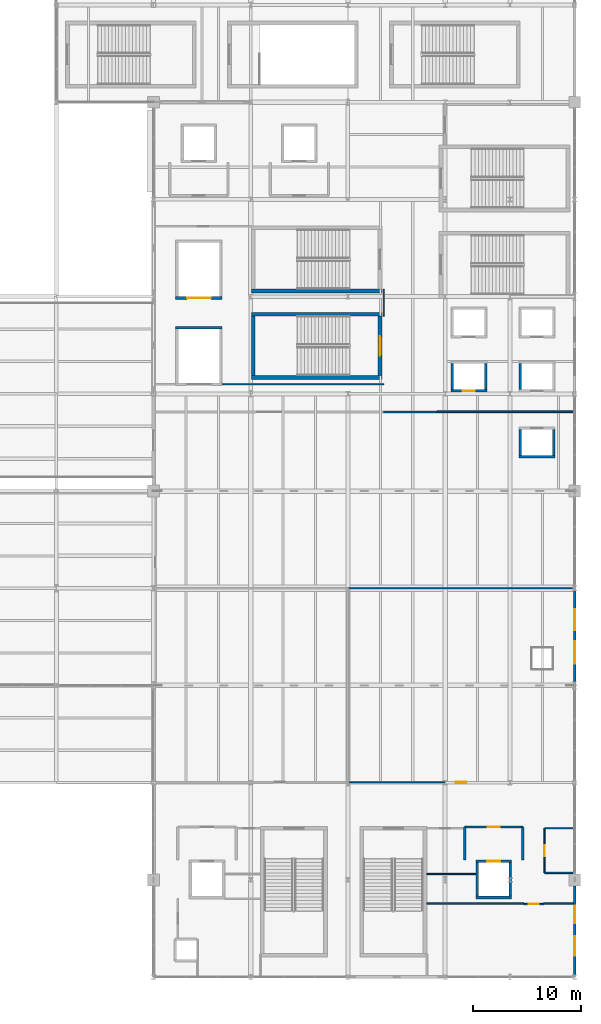
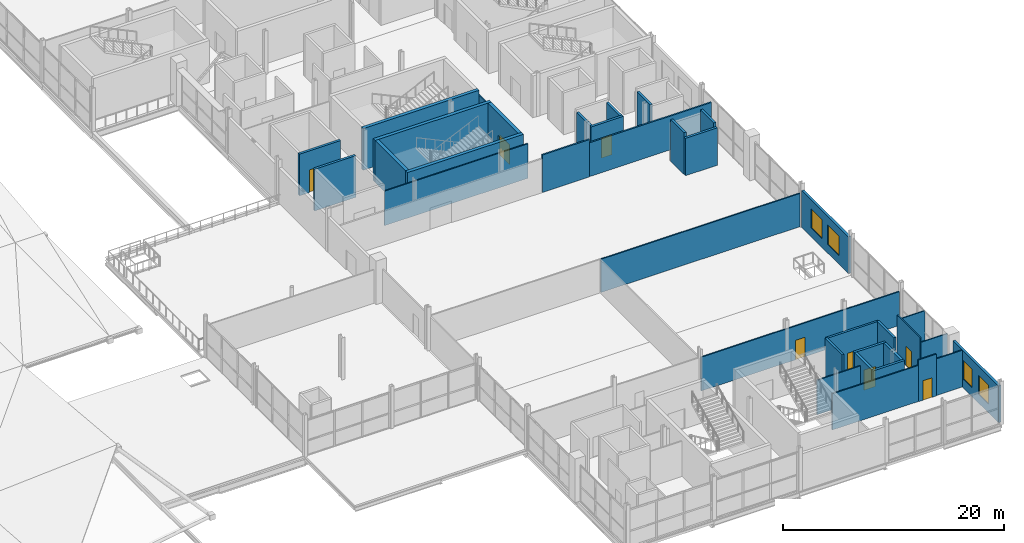
# One storey, part 51 of 69: 36 walls, 8 doors, 4 windows, 12 openings.
"""IFC4 building model written with IfcOpenShell, lengths in metres."""

from ifc_helpers import new_model, si_unit, direction, frame, frame_2d, origin, place, context, subcontext, project, spatial, rectangle, extrude, material, layer, layer_set, type_object, element, fill, save


model = new_model("IFC4")

# Units and contexts
model_context = context("Model", 3, precision=1e-05, world=origin(), true_north=direction((0.0, 1.0)))
body_context = subcontext(model_context, "Body", "Model", "MODEL_VIEW")
ifc_project = project(units=[si_unit("LENGTHUNIT", "METRE"), si_unit("AREAUNIT", "SQUARE_METRE"), si_unit("VOLUMEUNIT", "CUBIC_METRE"), si_unit("PLANEANGLEUNIT", "RADIAN"), si_unit("MASSUNIT", "GRAM", prefix="KILO")], contexts=[model_context])

# Site, building, storey
site_placement = place(None, origin())
site = spatial("IfcSite", under=ifc_project, at=site_placement, CompositionType="ELEMENT")
building_placement = place(site_placement, origin())
building = spatial("IfcBuilding", under=site, at=building_placement, Name="Qamarlyn Nura Convention Centre", CompositionType="ELEMENT")
storey_placement = place(building_placement, frame((0.0, 0.0, 15.60009765625)))
storey = spatial("IfcBuildingStorey", under=building, at=storey_placement, Name="L03", CompositionType="ELEMENT", Elevation=15.60009765625)

# Wall, opening, door
ifc_material_1 = material(Name="Fire-rated acoustic gypsum board and mineral wool EI 120")
ifc_layer_1 = layer(ifc_material_1, 0.219970703125, Name="WT-COMP-220")
ifc_layer_set_1 = layer_set([ifc_layer_1], Name="Fire-rated acoustic gypsum board and mineral wool EI 120")
wall_type_1 = type_object("IfcWallType", Name="WT-COMP-220", PredefinedType="SOLIDWALL", material=ifc_layer_set_1)
wall_1_placement = place(storey_placement, frame((181.800048828125, 13.89990234375, 0.0), z_axis=(0.0, 0.0, 1.0), x_axis=(1.0, 0.0, 0.0)))
wall_1 = element("IfcWall", 1, at=wall_1_placement, inside=storey, type_object=wall_type_1, Name="L03 firefighting lobby barrier wall FFL-02-OPP", PredefinedType="SOLIDWALL", context=body_context, shape_type="SweptSolid", body=[
    extrude(rectangle(XDim=5.39990234375, YDim=0.219970703125, at=frame_2d((2.699951171875, 0.0))), origin(), (0.0, 0.0, 1.0), 4.599853515625),
])
opening_1_placement = place(wall_1_placement, frame((2.139892578125, 0.0, 0.0)))
opening_1 = element("IfcOpeningElement", 2, at=opening_1_placement, cuts=wall_1, Name="Opening DF-114", PredefinedType="OPENING", context=body_context, shape_type="SweptSolid", body=[
    extrude(rectangle(XDim=1.1201171875, YDim=2.199951171875, at=frame_2d((0.56005859375, 1.10009765625))), frame((0.0, 0.1201171875, 0.0), z_axis=(0.0, -1.0, 0.0), x_axis=(1.0, 0.0, 0.0)), (0.0, 0.0, 1.0), 0.239990234375),
])
ifc_material_2 = material(Name="Galvanised fire-rated hollow steel door", Category="steel")
door_type_1 = type_object("IfcDoorType", Name="DR-FFL-1120", OperationType="NOTDEFINED", PredefinedType="DOOR", material=ifc_material_2)
door_1_placement = place(opening_1_placement, origin())
door_1 = element("IfcDoor", 3, at=door_1_placement, inside=storey, type_object=door_type_1, Name="L03 firefighting lobby door FFL-02 (DF-114)", OperationType="SINGLE_SWING_RIGHT", OverallHeight=2.199951171875, OverallWidth=1.1201171875, PredefinedType="DOOR", context=body_context, shape_type="SweptSolid", body=[
    extrude(rectangle(XDim=1.1201171875, YDim=2.199951171875, at=frame_2d((0.56005859375, 1.10009765625))), frame((0.0, 0.02490234375, 0.0), z_axis=(0.0, -1.0, 0.0), x_axis=(1.0, 0.0, 0.0)), (0.0, 0.0, 1.0), 0.050048828125),
])
fill(opening_1, door_1)

# Walls
for number, where, z_axis, x_axis, name in (
    (4, (181.800048828125, 10.85009765625, 0.0), (0.0, 0.0, 1.0), (0.0, 1.0, 0.0), "L03 firefighting lobby barrier wall FFL-02-W"),
    (5, (187.199951171875, 10.85009765625, 0.0), (0.0, 0.0, 1.0), (0.0, 1.0, 0.0), "L03 firefighting lobby barrier wall FFL-02-E"),
):
    element("IfcWall", number, at=place(storey_placement, frame(where, z_axis=z_axis, x_axis=x_axis)), inside=storey, type_object=wall_type_1, Name=name, PredefinedType="SOLIDWALL", context=body_context, shape_type="SweptSolid", body=[
        extrude(rectangle(XDim=3.0498046875, YDim=0.219970703125, at=frame_2d((1.52490234375, 0.0))), origin(), (0.0, 0.0, 1.0), 4.599853515625),
    ])
ifc_material_3 = material(Name="Concrete C50/60", Category="concrete")
ifc_layer_2 = layer(ifc_material_3, 0.35009765625, Name="WT-CORE-350")
ifc_layer_set_2 = layer_set([ifc_layer_2], Name="Concrete C50/60")
wall_type_2 = type_object("IfcWallType", Name="WT-CORE-350", PredefinedType="SHEAR", material=ifc_layer_set_2)
for number, where, z_axis, x_axis, name in (
    (6, (162.050048828125, 55.52490234375, 0.0), (0.0, 0.0, 1.0), (1.0, 0.0, 0.0), "L03 stair core shear wall ST-11-S"),
    (7, (174.14990234375, 61.375, 0.0), (0.0, 0.0, 1.0), (-1.0, 0.0, 0.0), "L03 stair core shear wall ST-11-N"),
):
    element("IfcWall", number, at=place(storey_placement, frame(where, z_axis=z_axis, x_axis=x_axis)), inside=storey, type_object=wall_type_2, Name=name, PredefinedType="SHEAR", context=body_context, shape_type="SweptSolid", body=[
        extrude(rectangle(XDim=12.099853515625, YDim=0.35009765625, at=frame_2d((6.0498046875, 0.0))), origin(), (0.0, 0.0, 1.0), 4.599853515625),
    ])
wall_2_placement = place(storey_placement, frame((162.22509765625, 61.199951171875, 0.0), z_axis=(0.0, 0.0, 1.0), x_axis=(0.0, -1.0, 0.0)))
element("IfcWall", 8, at=wall_2_placement, inside=storey, type_object=wall_type_2, Name="L03 stair core shear wall ST-11-W", PredefinedType="SHEAR", context=body_context, shape_type="SweptSolid", body=[
    extrude(rectangle(XDim=5.5, YDim=0.35009765625, at=frame_2d((2.75, 0.0))), origin(), (0.0, 0.0, 1.0), 4.599853515625),
])

# Wall, opening, door
wall_3_placement = place(storey_placement, frame((173.97509765625, 55.699951171875, 0.0), z_axis=(0.0, 0.0, 1.0), x_axis=(0.0, 1.0, 0.0)))
wall_3 = element("IfcWall", 9, at=wall_3_placement, inside=storey, type_object=wall_type_2, Name="L03 stair core shear wall ST-11-E", PredefinedType="SHEAR", context=body_context, shape_type="SweptSolid", body=[
    extrude(rectangle(XDim=5.5, YDim=0.35009765625, at=frame_2d((2.75, 0.0))), origin(), (0.0, 0.0, 1.0), 4.599853515625),
])
opening_2_placement = place(wall_3_placement, frame((1.85009765625, 0.0, 0.0)))
opening_2 = element("IfcOpeningElement", 10, at=opening_2_placement, cuts=wall_3, Name="Opening DS-047", PredefinedType="OPENING", context=body_context, shape_type="SweptSolid", body=[
    extrude(rectangle(XDim=1.800048828125, YDim=2.199951171875, at=frame_2d((0.89990234375, 1.10009765625))), frame((0.0, 0.18505859375, 0.0), z_axis=(0.0, -1.0, 0.0), x_axis=(1.0, 0.0, 0.0)), (0.0, 0.0, 1.0), 0.3701171875),
])
door_type_2 = type_object("IfcDoorType", Name="DR-STAIR-1800", OperationType="DOUBLE_DOOR_SINGLE_SWING", PredefinedType="DOOR", material=ifc_material_2)
door_2_placement = place(opening_2_placement, origin())
door_2 = element("IfcDoor", 11, at=door_2_placement, inside=storey, type_object=door_type_2, Name="L03 exit stair door ST-11 (DS-047)", OperationType="DOUBLE_DOOR_SINGLE_SWING", OverallHeight=2.199951171875, OverallWidth=1.800048828125, PredefinedType="DOOR", context=body_context, shape_type="SweptSolid", body=[
    extrude(rectangle(XDim=1.800048828125, YDim=2.199951171875, at=frame_2d((0.89990234375, 1.10009765625))), frame((0.0, 0.02490234375, 0.0), z_axis=(0.0, -1.0, 0.0), x_axis=(1.0, 0.0, 0.0)), (0.0, 0.0, 1.0), 0.050048828125),
])
fill(opening_2, door_2)

# Wall
wall_4_placement = place(storey_placement, frame((162.050048828125, 63.52490234375, 0.0), z_axis=(0.0, 0.0, 1.0), x_axis=(1.0, 0.0, 0.0)))
element("IfcWall", 12, at=wall_4_placement, inside=storey, type_object=wall_type_2, Name="L03 stair core shear wall ST-12-S", PredefinedType="SHEAR", context=body_context, shape_type="SweptSolid", body=[
    extrude(rectangle(XDim=12.099853515625, YDim=0.35009765625, at=frame_2d((6.0498046875, 0.0))), origin(), (0.0, 0.0, 1.0), 4.599853515625),
])

# Wall, openings, windows
ifc_material_4 = material(Name="Concrete C40/50", Category="concrete")
ifc_layer_3 = layer(ifc_material_4, 0.260009765625, Name="WT-EXT-260")
ifc_layer_set_3 = layer_set([ifc_layer_3], Name="Concrete C40/50")
wall_type_3 = type_object("IfcWallType", Name="WT-EXT-260", PredefinedType="SOLIDWALL", material=ifc_layer_set_3)
wall_5_placement = place(storey_placement, frame((192.0, 8.449951171875, 0.0), z_axis=(0.0, 0.0, 1.0), x_axis=(0.0, -1.0, 0.0)))
wall_5 = element("IfcWall", 13, at=wall_5_placement, inside=storey, type_object=wall_type_3, Name="L03 exterior facade wall WEXT-L03-1920-84-1920-2", PredefinedType="SOLIDWALL", context=body_context, shape_type="SweptSolid", body=[
    extrude(rectangle(XDim=8.237548828125, YDim=0.260009765625, at=frame_2d((4.11865234375, 0.0))), origin(), (0.0, 0.0, 1.0), 4.0458984375),
])
opening_3_placement = place(wall_5_placement, frame((1.83447265625, 0.0, 0.949951171875)))
opening_3 = element("IfcOpeningElement", 14, at=opening_3_placement, cuts=wall_5, Name="Opening WN14", PredefinedType="OPENING", context=body_context, shape_type="SweptSolid", body=[
    extrude(rectangle(XDim=1.64990234375, YDim=2.050048828125, at=frame_2d((0.824951171875, 1.02490234375))), frame((0.0, 0.14013671875, 0.0), z_axis=(0.0, -1.0, 0.0), x_axis=(1.0, 0.0, 0.0)), (0.0, 0.0, 1.0), 0.280029296875),
])
opening_4_placement = place(wall_5_placement, frame((4.677978515625, 0.0, 0.949951171875)))
opening_4 = element("IfcOpeningElement", 15, at=opening_4_placement, cuts=wall_5, Name="Opening WN15", PredefinedType="OPENING", context=body_context, shape_type="SweptSolid", body=[
    extrude(rectangle(XDim=1.800048828125, YDim=2.10009765625, at=frame_2d((0.89990234375, 1.050048828125))), frame((0.0, 0.14013671875, 0.0), z_axis=(0.0, -1.0, 0.0), x_axis=(1.0, 0.0, 0.0)), (0.0, 0.0, 1.0), 0.280029296875),
])
ifc_material_5 = material(Name="Double-silver low-E insulated glass", Category="glass")
window_type_1 = type_object("IfcWindowType", Name="WIN-SOL-14", PartitioningType="SINGLE_PANEL", PredefinedType="WINDOW", material=ifc_material_5)
window_1_placement = place(opening_3_placement, origin())
window_1 = element("IfcWindow", 16, at=window_1_placement, inside=storey, type_object=window_type_1, Name="L03 solar-control window 038", OverallHeight=2.050048828125, OverallWidth=1.64990234375, PartitioningType="SINGLE_PANEL", PredefinedType="WINDOW", context=body_context, shape_type="SweptSolid", body=[
    extrude(rectangle(XDim=1.64990234375, YDim=2.050048828125, at=frame_2d((0.824951171875, 1.02490234375))), frame((0.0, 0.030029296875, 0.0), z_axis=(0.0, -1.0, 0.0), x_axis=(1.0, 0.0, 0.0)), (0.0, 0.0, 1.0), 0.06005859375),
])
fill(opening_3, window_1)
window_type_2 = type_object("IfcWindowType", Name="WIN-SOL-15", PartitioningType="SINGLE_PANEL", PredefinedType="WINDOW", material=ifc_material_5)
window_2_placement = place(opening_4_placement, origin())
window_2 = element("IfcWindow", 17, at=window_2_placement, inside=storey, type_object=window_type_2, Name="L03 solar-control window 039", OverallHeight=2.10009765625, OverallWidth=1.800048828125, PartitioningType="SINGLE_PANEL", PredefinedType="WINDOW", context=body_context, shape_type="SweptSolid", body=[
    extrude(rectangle(XDim=1.800048828125, YDim=2.10009765625, at=frame_2d((0.89990234375, 1.050048828125))), frame((0.0, 0.030029296875, 0.0), z_axis=(0.0, -1.0, 0.0), x_axis=(1.0, 0.0, 0.0)), (0.0, 0.0, 1.0), 0.06005859375),
])
fill(opening_4, window_2)

wall_6_placement = place(storey_placement, frame((192.0, 35.78759765625, 0.0), z_axis=(0.0, 0.0, 1.0), x_axis=(0.0, -1.0, 0.0)))
wall_6 = element("IfcWall", 18, at=wall_6_placement, inside=storey, type_object=wall_type_3, Name="L03 exterior facade wall WEXT-L03-1920-358-1920-273", PredefinedType="SOLIDWALL", context=body_context, shape_type="SweptSolid", body=[
    extrude(rectangle(XDim=8.440185546875, YDim=0.260009765625, at=frame_2d((4.22021484375, 0.0))), origin(), (0.0, 0.0, 1.0), 4.0458984375),
])
opening_5_placement = place(wall_6_placement, frame((1.735107421875, 0.0, 0.949951171875)))
opening_5 = element("IfcOpeningElement", 19, at=opening_5_placement, cuts=wall_6, Name="Opening WN16", PredefinedType="OPENING", context=body_context, shape_type="SweptSolid", body=[
    extrude(rectangle(XDim=1.949951171875, YDim=2.10009765625, at=frame_2d((0.97509765625, 1.050048828125))), frame((0.0, 0.14013671875, 0.0), z_axis=(0.0, -1.0, 0.0), x_axis=(1.0, 0.0, 0.0)), (0.0, 0.0, 1.0), 0.280029296875),
])
opening_6_placement = place(wall_6_placement, frame((4.679931640625, 0.0, 0.949951171875)))
opening_6 = element("IfcOpeningElement", 20, at=opening_6_placement, cuts=wall_6, Name="Opening WN17", PredefinedType="OPENING", context=body_context, shape_type="SweptSolid", body=[
    extrude(rectangle(XDim=2.10009765625, YDim=2.14990234375, at=frame_2d((1.050048828125, 1.074951171875))), frame((0.0, 0.14013671875, 0.0), z_axis=(0.0, -1.0, 0.0), x_axis=(1.0, 0.0, 0.0)), (0.0, 0.0, 1.0), 0.280029296875),
])
window_type_3 = type_object("IfcWindowType", Name="WIN-SOL-16", PartitioningType="SINGLE_PANEL", PredefinedType="WINDOW", material=ifc_material_5)
window_3_placement = place(opening_5_placement, origin())
window_3 = element("IfcWindow", 21, at=window_3_placement, inside=storey, type_object=window_type_3, Name="L03 solar-control window 040", OverallHeight=2.10009765625, OverallWidth=1.949951171875, PartitioningType="SINGLE_PANEL", PredefinedType="WINDOW", context=body_context, shape_type="SweptSolid", body=[
    extrude(rectangle(XDim=1.949951171875, YDim=2.10009765625, at=frame_2d((0.97509765625, 1.050048828125))), frame((0.0, 0.030029296875, 0.0), z_axis=(0.0, -1.0, 0.0), x_axis=(1.0, 0.0, 0.0)), (0.0, 0.0, 1.0), 0.06005859375),
])
fill(opening_5, window_3)
window_type_4 = type_object("IfcWindowType", Name="WIN-SOL-17", PartitioningType="SINGLE_PANEL", PredefinedType="WINDOW", material=ifc_material_5)
window_4_placement = place(opening_6_placement, origin())
window_4 = element("IfcWindow", 22, at=window_4_placement, inside=storey, type_object=window_type_4, Name="L03 solar-control window 041", OverallHeight=2.14990234375, OverallWidth=2.10009765625, PartitioningType="SINGLE_PANEL", PredefinedType="WINDOW", context=body_context, shape_type="SweptSolid", body=[
    extrude(rectangle(XDim=2.10009765625, YDim=2.14990234375, at=frame_2d((1.050048828125, 1.074951171875))), frame((0.0, 0.030029296875, 0.0), z_axis=(0.0, -1.0, 0.0), x_axis=(1.0, 0.0, 0.0)), (0.0, 0.0, 1.0), 0.06005859375),
])
fill(opening_6, window_4)

# Walls
ifc_material_6 = material(Name="Acoustic double-stud gypsum partition")
ifc_layer_4 = layer(ifc_material_6, 0.1201171875, Name="WT-PART-120")
ifc_layer_set_4 = layer_set([ifc_layer_4], Name="Acoustic double-stud gypsum partition")
wall_type_4 = type_object("IfcWallType", Name="WT-PART-120", PredefinedType="PARTITIONING", material=ifc_layer_set_4)
wall_7_placement = place(storey_placement, frame((182.85009765625, 9.550048828125, 0.0), z_axis=(0.0, 0.0, 1.0), x_axis=(-1.0, 0.0, 0.0)))
element("IfcWall", 23, at=wall_7_placement, inside=storey, type_object=wall_type_4, Name="L03 interior partition L03-WC-F-L03-20-1", PredefinedType="PARTITIONING", context=body_context, shape_type="SweptSolid", body=[
    extrude(rectangle(XDim=4.550048828125, YDim=0.1201171875, at=frame_2d((2.27490234375, 0.0))), origin(), (0.0, 0.0, 1.0), 3.81201171875),
])
for number, where, z_axis, x_axis, name in (
    (24, (189.199951171875, 13.77490234375, 0.0), (0.0, 0.0, 1.0), (1.0, 0.0, 0.0), "L03 interior partition L03-WC-A-L03-1-1"),
    (25, (191.988037109375, 9.64990234375, 0.0), (0.0, 0.0, 1.0), (-1.0, 0.0, 0.0), "L03 interior partition L03-WC-A-L03-3-1"),
):
    element("IfcWall", number, at=place(storey_placement, frame(where, z_axis=z_axis, x_axis=x_axis)), inside=storey, type_object=wall_type_4, Name=name, PredefinedType="PARTITIONING", context=body_context, shape_type="SweptSolid", body=[
        extrude(rectangle(XDim=2.7880859375, YDim=0.1201171875, at=frame_2d((1.39404296875, 0.0))), origin(), (0.0, 0.0, 1.0), 4.118896484375),
    ])

# Wall, opening, door
wall_8_placement = place(storey_placement, frame((189.199951171875, 9.64990234375, 0.0), z_axis=(0.0, 0.0, 1.0), x_axis=(0.0, 1.0, 0.0)))
wall_8 = element("IfcWall", 26, at=wall_8_placement, inside=storey, type_object=wall_type_4, Name="L03 interior partition L03-WC-A-L03-4-1", PredefinedType="PARTITIONING", context=body_context, shape_type="SweptSolid", body=[
    extrude(rectangle(XDim=4.125, YDim=0.1201171875, at=frame_2d((2.0625, 0.0))), origin(), (0.0, 0.0, 1.0), 4.599853515625),
])
opening_7_placement = place(wall_8_placement, frame((1.552490234375, 0.0, 0.0)))
opening_7 = element("IfcOpeningElement", 27, at=opening_7_placement, cuts=wall_8, Name="Opening D-L03-193", PredefinedType="OPENING", context=body_context, shape_type="SweptSolid", body=[
    extrude(rectangle(XDim=1.02001953125, YDim=2.159912109375, at=frame_2d((0.510009765625, 1.080078125))), frame((0.0, 0.070068359375, 0.0), z_axis=(0.0, -1.0, 0.0), x_axis=(1.0, 0.0, 0.0)), (0.0, 0.0, 1.0), 0.14013671875),
])
ifc_material_7 = material(Name="Acoustic walnut timber leaf", Category="wood")
door_type_3 = type_object("IfcDoorType", Name="DR-WC-ACC-102", OperationType="NOTDEFINED", PredefinedType="DOOR", material=ifc_material_7)
door_3_placement = place(opening_7_placement, origin())
door_3 = element("IfcDoor", 28, at=door_3_placement, inside=storey, type_object=door_type_3, Name="L03 Accessible WC L03 door D-L03-193", OperationType="SINGLE_SWING_LEFT", OverallHeight=2.159912109375, OverallWidth=1.02001953125, PredefinedType="DOOR", context=body_context, shape_type="SweptSolid", body=[
    extrude(rectangle(XDim=1.02001953125, YDim=2.159912109375, at=frame_2d((0.510009765625, 1.080078125))), frame((0.0, 0.02490234375, 0.0), z_axis=(0.0, -1.0, 0.0), x_axis=(1.0, 0.0, 0.0)), (0.0, 0.0, 1.0), 0.050048828125),
])
fill(opening_7, door_3)

# Walls
wall_9_placement = place(storey_placement, frame((174.31005859375, 63.699951171875, 0.0), z_axis=(0.0, 0.0, 1.0), x_axis=(0.0, -1.0, 0.0)))
element("IfcWall", 29, at=wall_9_placement, inside=storey, type_object=wall_type_4, Name="L03 interior partition L03-RST-DELG-60-2", PredefinedType="PARTITIONING", context=body_context, shape_type="SweptSolid", body=[
    extrude(rectangle(XDim=2.5, YDim=0.1201171875, at=frame_2d((1.25, 0.0))), origin(), (0.0, 0.0, 1.0), 3.889892578125),
])
wall_10_placement = place(storey_placement, frame((174.31005859375, 54.889892578125, 0.0), z_axis=(0.0, 0.0, 1.0), x_axis=(-1.0, 0.0, 0.0)))
element("IfcWall", 30, at=wall_10_placement, inside=storey, type_object=wall_type_4, Name="L03 interior partition L03-RST-DELG-61-1", PredefinedType="PARTITIONING", context=body_context, shape_type="SweptSolid", body=[
    extrude(rectangle(XDim=14.9599609375, YDim=0.1201171875, at=frame_2d((7.47998046875, 0.0))), origin(), (0.0, 0.0, 1.0), 3.81201171875),
])
ifc_layer_5 = layer(ifc_material_6, 0.135009765625, Name="WT-PART-135")
ifc_layer_set_5 = layer_set([ifc_layer_5], Name="Acoustic double-stud gypsum partition")
wall_type_5 = type_object("IfcWallType", Name="WT-PART-135", PredefinedType="PARTITIONING", material=ifc_layer_set_5)
wall_11_placement = place(storey_placement, frame((178.300048828125, 6.800048828125, 0.0), z_axis=(0.0, 0.0, 1.0), x_axis=(1.0, 0.0, 0.0)))
element("IfcWall", 31, at=wall_11_placement, inside=storey, type_object=wall_type_5, Name="L03 interior partition L03-CNF-S301-5-1", PredefinedType="PARTITIONING", context=body_context, shape_type="SweptSolid", body=[
    extrude(rectangle(XDim=8.969970703125, YDim=0.135009765625, at=frame_2d((4.48486328125, 0.0))), origin(), (0.0, 0.0, 1.0), 3.973876953125),
])

# Wall, opening, door
wall_12_placement = place(storey_placement, frame((187.27001953125, 6.760009765625, 0.0), z_axis=(0.0, 0.0, 1.0), x_axis=(1.0, 0.0, 0.0)))
wall_12 = element("IfcWall", 32, at=wall_12_placement, inside=storey, type_object=wall_type_5, Name="L03 interior partition L03-CNF-S301-22-1", PredefinedType="PARTITIONING", context=body_context, shape_type="SweptSolid", body=[
    extrude(rectangle(XDim=1.8798828125, YDim=0.135009765625, at=frame_2d((0.93994140625, 0.0))), origin(), (0.0, 0.0, 1.0), 4.599853515625),
])
opening_8_placement = place(wall_12_placement, frame((0.4599609375, 0.0, 0.0)))
opening_8 = element("IfcOpeningElement", 33, at=opening_8_placement, cuts=wall_12, Name="Opening D-L03-196", PredefinedType="OPENING", context=body_context, shape_type="SweptSolid", body=[
    extrude(rectangle(XDim=0.9599609375, YDim=2.14990234375, at=frame_2d((0.47998046875, 1.074951171875))), frame((0.0, 0.07763671875, 0.0), z_axis=(0.0, -1.0, 0.0), x_axis=(1.0, 0.0, 0.0)), (0.0, 0.0, 1.0), 0.155029296875),
])
door_type_4 = type_object("IfcDoorType", Name="DR-ROOM-0960", OperationType="NOTDEFINED", PredefinedType="DOOR", material=ifc_material_7)
door_4_placement = place(opening_8_placement, origin())
door_4 = element("IfcDoor", 34, at=door_4_placement, inside=storey, type_object=door_type_4, Name="L03 Divisible Conference Suite 301 door D-L03-196", OperationType="SINGLE_SWING_LEFT", OverallHeight=2.14990234375, OverallWidth=0.9599609375, PredefinedType="DOOR", context=body_context, shape_type="SweptSolid", body=[
    extrude(rectangle(XDim=0.9599609375, YDim=2.14990234375, at=frame_2d((0.47998046875, 1.074951171875))), frame((0.0, 0.02490234375, 0.0), z_axis=(0.0, -1.0, 0.0), x_axis=(1.0, 0.0, 0.0)), (0.0, 0.0, 1.0), 0.050048828125),
])
fill(opening_8, door_4)

# Wall
wall_13_placement = place(storey_placement, frame((189.14990234375, 6.800048828125, 0.0), z_axis=(0.0, 0.0, 1.0), x_axis=(1.0, 0.0, 0.0)))
element("IfcWall", 35, at=wall_13_placement, inside=storey, type_object=wall_type_5, Name="L03 interior partition L03-CNF-S301-39-1", PredefinedType="PARTITIONING", context=body_context, shape_type="SweptSolid", body=[
    extrude(rectangle(XDim=2.72021484375, YDim=0.135009765625, at=frame_2d((1.360107421875, 0.0))), origin(), (0.0, 0.0, 1.0), 4.0458984375),
])

# Wall, opening, door
wall_14_placement = place(storey_placement, frame((191.7900390625, 18.0400390625, 0.0), z_axis=(0.0, 0.0, 1.0), x_axis=(-1.0, 0.0, 0.0)))
wall_14 = element("IfcWall", 36, at=wall_14_placement, inside=storey, type_object=wall_type_5, Name="L03 interior partition L03-CNF-S303-2-1", PredefinedType="PARTITIONING", context=body_context, shape_type="SweptSolid", body=[
    extrude(rectangle(XDim=20.669921875, YDim=0.135009765625, at=frame_2d((10.3349609375, 0.0))), origin(), (0.0, 0.0, 1.0), 3.72998046875),
])
opening_9_placement = place(wall_14_placement, frame((9.844970703125, 0.0, 0.0)))
opening_9 = element("IfcOpeningElement", 37, at=opening_9_placement, cuts=wall_14, Name="Opening D-L03-200", PredefinedType="OPENING", context=body_context, shape_type="SweptSolid", body=[
    extrude(rectangle(XDim=0.97998046875, YDim=2.14990234375, at=frame_2d((0.489990234375, 1.074951171875))), frame((0.0, 0.07763671875, 0.0), z_axis=(0.0, -1.0, 0.0), x_axis=(1.0, 0.0, 0.0)), (0.0, 0.0, 1.0), 0.155029296875),
])
door_type_5 = type_object("IfcDoorType", Name="DR-ROOM-0980", OperationType="NOTDEFINED", PredefinedType="DOOR", material=ifc_material_7)
door_5_placement = place(opening_9_placement, origin())
door_5 = element("IfcDoor", 38, at=door_5_placement, inside=storey, type_object=door_type_5, Name="L03 Divisible Conference Suite 303 door D-L03-200", OperationType="SINGLE_SWING_LEFT", OverallHeight=2.14990234375, OverallWidth=0.97998046875, PredefinedType="DOOR", context=body_context, shape_type="SweptSolid", body=[
    extrude(rectangle(XDim=0.97998046875, YDim=2.14990234375, at=frame_2d((0.489990234375, 1.074951171875))), frame((0.0, 0.02490234375, 0.0), z_axis=(0.0, -1.0, 0.0), x_axis=(1.0, 0.0, 0.0)), (0.0, 0.0, 1.0), 0.050048828125),
])
fill(opening_9, door_5)

# Walls
wall_15_placement = place(storey_placement, frame((171.0400390625, 36.0, 0.0), z_axis=(0.0, 0.0, 1.0), x_axis=(1.0, 0.0, 0.0)))
element("IfcWall", 39, at=wall_15_placement, inside=storey, type_object=wall_type_5, Name="L03 interior partition L03-CNF-S303-4-1", PredefinedType="PARTITIONING", context=body_context, shape_type="SweptSolid", body=[
    extrude(rectangle(XDim=20.75, YDim=0.135009765625, at=frame_2d((10.375, 0.0))), origin(), (0.0, 0.0, 1.0), 3.6728515625),
])
ifc_material_8 = material(Name="Fire-rated acoustic gypsum board EI 60")
ifc_layer_6 = layer(ifc_material_8, 0.159912109375, Name="WT-PART-160")
ifc_layer_set_6 = layer_set([ifc_layer_6], Name="Fire-rated acoustic gypsum board EI 60")
wall_type_6 = type_object("IfcWallType", Name="WT-PART-160", PredefinedType="PARTITIONING", material=ifc_layer_set_6)
wall_16_placement = place(storey_placement, frame((174.31005859375, 52.31005859375, 0.0), z_axis=(0.0, 0.0, 1.0), x_axis=(1.0, 0.0, 0.0)))
element("IfcWall", 40, at=wall_16_placement, inside=storey, type_object=wall_type_6, Name="L03 interior partition L03-CNF-FOY3-14-1", PredefinedType="PARTITIONING", context=body_context, shape_type="SweptSolid", body=[
    extrude(rectangle(XDim=4.93994140625, YDim=0.159912109375, at=frame_2d((2.469970703125, 0.0))), origin(), (0.0, 0.0, 1.0), 4.1279296875),
])
wall_17_placement = place(storey_placement, frame((179.25, 52.35009765625, 0.0), z_axis=(0.0, 0.0, 1.0), x_axis=(1.0, 0.0, 0.0)))
element("IfcWall", 41, at=wall_17_placement, inside=storey, type_object=wall_type_6, Name="L03 interior partition L03-CNF-FOY3-31-1", PredefinedType="PARTITIONING", context=body_context, shape_type="SweptSolid", body=[
    extrude(rectangle(XDim=12.738037109375, YDim=0.159912109375, at=frame_2d((6.369140625, 0.0))), origin(), (0.0, 0.0, 1.0), 3.72998046875),
])
ifc_layer_7 = layer(ifc_material_1, 0.25, Name="WT-SHAFT-250")
ifc_layer_set_7 = layer_set([ifc_layer_7], Name="Fire-rated acoustic gypsum board and mineral wool EI 120")
wall_type_7 = type_object("IfcWallType", Name="WT-SHAFT-250", PredefinedType="SOLIDWALL", material=ifc_layer_set_7)
wall_18_placement = place(storey_placement, frame((182.85009765625, 7.375, 0.0), z_axis=(0.0, 0.0, 1.0), x_axis=(1.0, 0.0, 0.0)))
element("IfcWall", 42, at=wall_18_placement, inside=storey, type_object=wall_type_7, Name="L03 lift shaft enclosure wall FFL-02 -y", PredefinedType="SOLIDWALL", context=body_context, shape_type="SweptSolid", body=[
    extrude(rectangle(XDim=3.2998046875, YDim=0.25, at=frame_2d((1.64990234375, 0.0))), origin(), (0.0, 0.0, 1.0), 4.599853515625),
])

# Wall, opening, door
wall_19_placement = place(storey_placement, frame((186.14990234375, 10.72509765625, 0.0), z_axis=(0.0, 0.0, 1.0), x_axis=(-1.0, 0.0, 0.0)))
wall_19 = element("IfcWall", 43, at=wall_19_placement, inside=storey, type_object=wall_type_7, Name="L03 lift shaft enclosure wall FFL-02 +y", PredefinedType="SOLIDWALL", context=body_context, shape_type="SweptSolid", body=[
    extrude(rectangle(XDim=3.2998046875, YDim=0.25, at=frame_2d((1.64990234375, 0.0))), origin(), (0.0, 0.0, 1.0), 4.599853515625),
])
opening_10_placement = place(wall_19_placement, frame((1.050048828125, 0.0, 0.0)))
opening_10 = element("IfcOpeningElement", 44, at=opening_10_placement, cuts=wall_19, Name="Opening LD-FFL-02-L03", PredefinedType="OPENING", context=body_context, shape_type="SweptSolid", body=[
    extrude(rectangle(XDim=1.199951171875, YDim=2.25, at=frame_2d((0.60009765625, 1.125))), frame((0.0, 0.135009765625, 0.0), z_axis=(0.0, -1.0, 0.0), x_axis=(1.0, 0.0, 0.0)), (0.0, 0.0, 1.0), 0.27001953125),
])
ifc_material_9 = material(Name="Marine Grade 316 stainless steel", Category="steel")
door_type_6 = type_object("IfcDoorType", Name="DR-LD-FFL", OperationType="DOUBLE_DOOR_SLIDING", PredefinedType="DOOR", material=ifc_material_9)
door_6_placement = place(opening_10_placement, origin())
door_6 = element("IfcDoor", 45, at=door_6_placement, inside=storey, type_object=door_type_6, Name="Lift landing door LD-FFL-02-L03", OperationType="DOUBLE_DOOR_SLIDING", OverallHeight=2.25, OverallWidth=1.199951171875, PredefinedType="DOOR", context=body_context, shape_type="SweptSolid", body=[
    extrude(rectangle(XDim=1.199951171875, YDim=2.25, at=frame_2d((0.60009765625, 1.125))), frame((0.0, 0.02490234375, 0.0), z_axis=(0.0, -1.0, 0.0), x_axis=(1.0, 0.0, 0.0)), (0.0, 0.0, 1.0), 0.050048828125),
])
fill(opening_10, door_6)

# Walls
for number, where, z_axis, x_axis, name in (
    (46, (182.97509765625, 10.60009765625, 0.0), (0.0, 0.0, 1.0), (0.0, -1.0, 0.0), "L03 lift shaft enclosure wall FFL-02 -x"),
    (47, (186.02490234375, 7.5, 0.0), (0.0, 0.0, 1.0), (0.0, 1.0, 0.0), "L03 lift shaft enclosure wall FFL-02 +x"),
):
    element("IfcWall", number, at=place(storey_placement, frame(where, z_axis=z_axis, x_axis=x_axis)), inside=storey, type_object=wall_type_7, Name=name, PredefinedType="SOLIDWALL", context=body_context, shape_type="SweptSolid", body=[
        extrude(rectangle(XDim=3.10009765625, YDim=0.25, at=frame_2d((1.550048828125, 0.0))), origin(), (0.0, 0.0, 1.0), 4.599853515625),
    ])

# Wall, opening, door
wall_20_placement = place(storey_placement, frame((180.52490234375, 54.27490234375, 0.0), z_axis=(0.0, 0.0, 1.0), x_axis=(1.0, 0.0, 0.0)))
wall_20 = element("IfcWall", 48, at=wall_20_placement, inside=storey, type_object=wall_type_7, Name="L03 lift shaft enclosure wall PL-03 -y", PredefinedType="SOLIDWALL", context=body_context, shape_type="SweptSolid", body=[
    extrude(rectangle(XDim=3.35009765625, YDim=0.25, at=frame_2d((1.675048828125, 0.0))), origin(), (0.0, 0.0, 1.0), 3.90087890625),
])
opening_11_placement = place(wall_20_placement, frame((1.125, 0.0, 0.0)))
opening_11 = element("IfcOpeningElement", 49, at=opening_11_placement, cuts=wall_20, Name="Opening LD-PL-03-L03", PredefinedType="OPENING", context=body_context, shape_type="SweptSolid", body=[
    extrude(rectangle(XDim=1.10009765625, YDim=2.199951171875, at=frame_2d((0.550048828125, 1.10009765625))), frame((0.0, 0.135009765625, 0.0), z_axis=(0.0, -1.0, 0.0), x_axis=(1.0, 0.0, 0.0)), (0.0, 0.0, 1.0), 0.27001953125),
])
door_type_7 = type_object("IfcDoorType", Name="DR-LD-PAX", OperationType="DOUBLE_DOOR_SLIDING", PredefinedType="DOOR", material=ifc_material_9)
door_7_placement = place(opening_11_placement, origin())
door_7 = element("IfcDoor", 50, at=door_7_placement, inside=storey, type_object=door_type_7, Name="Lift landing door LD-PL-03-L03", OperationType="DOUBLE_DOOR_SLIDING", OverallHeight=2.199951171875, OverallWidth=1.10009765625, PredefinedType="DOOR", context=body_context, shape_type="SweptSolid", body=[
    extrude(rectangle(XDim=1.10009765625, YDim=2.199951171875, at=frame_2d((0.550048828125, 1.10009765625))), frame((0.0, 0.02490234375, 0.0), z_axis=(0.0, -1.0, 0.0), x_axis=(1.0, 0.0, 0.0)), (0.0, 0.0, 1.0), 0.050048828125),
])
fill(opening_11, door_7)

# Walls
for number, where, z_axis, x_axis, name in (
    (51, (180.64990234375, 56.800048828125, 0.0), (0.0, 0.0, 1.0), (0.0, -1.0, 0.0), "L03 lift shaft enclosure wall PL-03 -x"),
    (52, (183.75, 54.39990234375, 0.0), (0.0, 0.0, 1.0), (0.0, 1.0, 0.0), "L03 lift shaft enclosure wall PL-03 +x"),
):
    element("IfcWall", number, at=place(storey_placement, frame(where, z_axis=z_axis, x_axis=x_axis)), inside=storey, type_object=wall_type_7, Name=name, PredefinedType="SOLIDWALL", context=body_context, shape_type="SweptSolid", body=[
        extrude(rectangle(XDim=2.400146484375, YDim=0.25, at=frame_2d((1.2001953125, 0.0))), origin(), (0.0, 0.0, 1.0), 3.90087890625),
    ])
wall_21_placement = place(storey_placement, frame((186.949951171875, 56.800048828125, 0.0), z_axis=(0.0, 0.0, 1.0), x_axis=(0.0, -1.0, 0.0)))
element("IfcWall", 53, at=wall_21_placement, inside=storey, type_object=wall_type_7, Name="L03 lift shaft enclosure wall PL-04 -x", PredefinedType="SOLIDWALL", context=body_context, shape_type="SweptSolid", body=[
    extrude(rectangle(XDim=2.400146484375, YDim=0.25, at=frame_2d((1.2001953125, 0.0))), origin(), (0.0, 0.0, 1.0), 3.973876953125),
])
wall_22_placement = place(storey_placement, frame((186.824951171875, 48.175048828125, 0.0), z_axis=(0.0, 0.0, 1.0), x_axis=(1.0, 0.0, 0.0)))
element("IfcWall", 54, at=wall_22_placement, inside=storey, type_object=wall_type_7, Name="L03 lift shaft enclosure wall PL-05 -y", PredefinedType="SOLIDWALL", context=body_context, shape_type="SweptSolid", body=[
    extrude(rectangle(XDim=3.35009765625, YDim=0.25, at=frame_2d((1.675048828125, 0.0))), origin(), (0.0, 0.0, 1.0), 4.1279296875),
])
for number, where, z_axis, x_axis, name in (
    (55, (186.949951171875, 50.699951171875, 0.0), (0.0, 0.0, 1.0), (0.0, -1.0, 0.0), "L03 lift shaft enclosure wall PL-05 -x"),
    (56, (190.050048828125, 48.300048828125, 0.0), (0.0, 0.0, 1.0), (0.0, 1.0, 0.0), "L03 lift shaft enclosure wall PL-05 +x"),
):
    element("IfcWall", number, at=place(storey_placement, frame(where, z_axis=z_axis, x_axis=x_axis)), inside=storey, type_object=wall_type_7, Name=name, PredefinedType="SOLIDWALL", context=body_context, shape_type="SweptSolid", body=[
        extrude(rectangle(XDim=2.39990234375, YDim=0.25, at=frame_2d((1.199951171875, 0.0))), origin(), (0.0, 0.0, 1.0), 4.599853515625),
    ])
wall_23_placement = place(storey_placement, frame((159.35009765625, 60.125, 0.0), z_axis=(0.0, 0.0, 1.0), x_axis=(-1.0, 0.0, 0.0)))
element("IfcWall", 57, at=wall_23_placement, inside=storey, type_object=wall_type_7, Name="L03 lift shaft enclosure wall FL-03 +y", PredefinedType="SOLIDWALL", context=body_context, shape_type="SweptSolid", body=[
    extrude(rectangle(XDim=4.300048828125, YDim=0.25, at=frame_2d((2.14990234375, 0.0))), origin(), (0.0, 0.0, 1.0), 4.599853515625),
])

# Wall, opening, door
wall_24_placement = place(storey_placement, frame((155.050048828125, 62.875, 0.0), z_axis=(0.0, 0.0, 1.0), x_axis=(1.0, 0.0, 0.0)))
wall_24 = element("IfcWall", 58, at=wall_24_placement, inside=storey, type_object=wall_type_7, Name="L03 lift shaft enclosure wall FL-04 -y", PredefinedType="SOLIDWALL", context=body_context, shape_type="SweptSolid", body=[
    extrude(rectangle(XDim=4.300048828125, YDim=0.25, at=frame_2d((2.14990234375, 0.0))), origin(), (0.0, 0.0, 1.0), 4.599853515625),
])
opening_12_placement = place(wall_24_placement, frame((1.050048828125, 0.0, 0.0)))
opening_12 = element("IfcOpeningElement", 59, at=opening_12_placement, cuts=wall_24, Name="Opening LD-FL-04-L03", PredefinedType="OPENING", context=body_context, shape_type="SweptSolid", body=[
    extrude(rectangle(XDim=2.199951171875, YDim=2.5, at=frame_2d((1.10009765625, 1.25))), frame((0.0, 0.135009765625, 0.0), z_axis=(0.0, -1.0, 0.0), x_axis=(1.0, 0.0, 0.0)), (0.0, 0.0, 1.0), 0.27001953125),
])
door_type_8 = type_object("IfcDoorType", Name="DR-LD-FRT", OperationType="DOUBLE_DOOR_SLIDING", PredefinedType="DOOR", material=ifc_material_2)
door_8_placement = place(opening_12_placement, origin())
door_8 = element("IfcDoor", 60, at=door_8_placement, inside=storey, type_object=door_type_8, Name="Lift landing door LD-FL-04-L03", OperationType="DOUBLE_DOOR_SLIDING", OverallHeight=2.5, OverallWidth=2.199951171875, PredefinedType="DOOR", context=body_context, shape_type="SweptSolid", body=[
    extrude(rectangle(XDim=2.199951171875, YDim=2.5, at=frame_2d((1.10009765625, 1.25))), frame((0.0, 0.02490234375, 0.0), z_axis=(0.0, -1.0, 0.0), x_axis=(1.0, 0.0, 0.0)), (0.0, 0.0, 1.0), 0.050048828125),
])
fill(opening_12, door_8)

save(model, "model.ifc")
